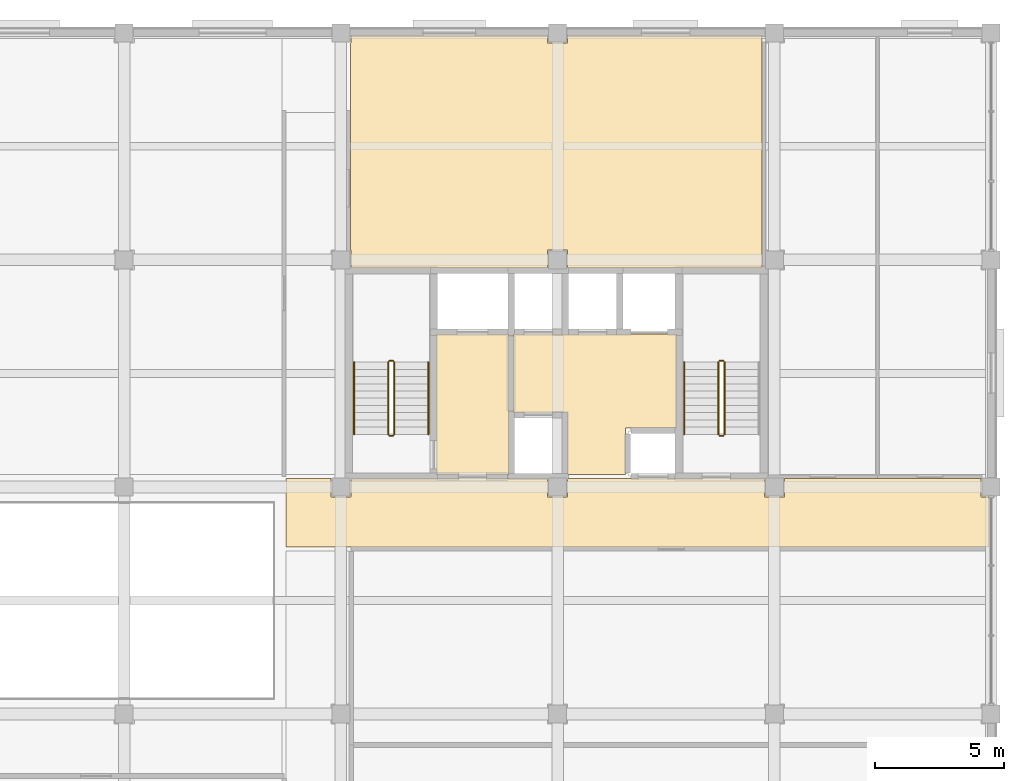
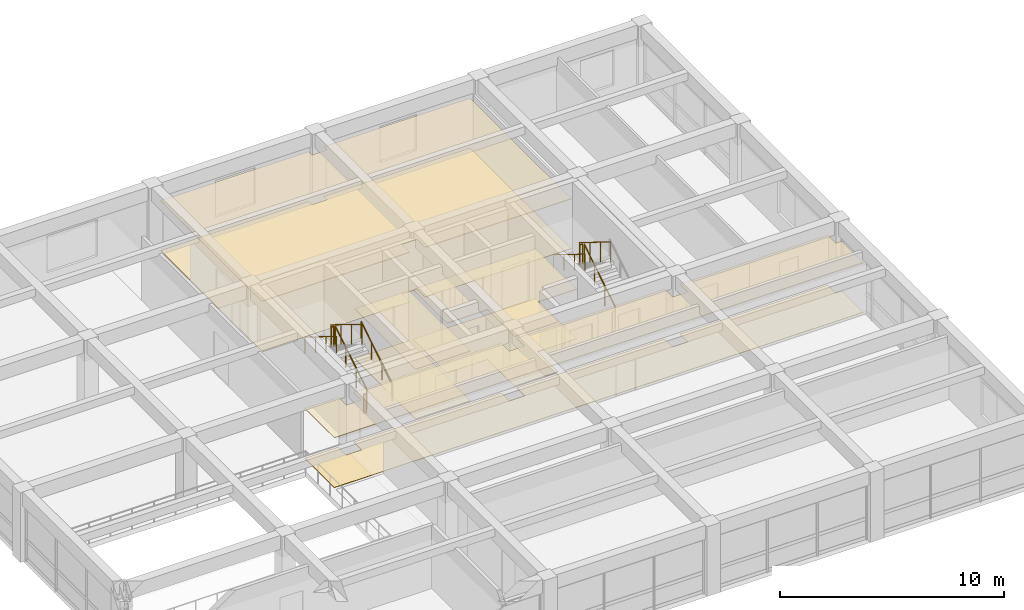
# One storey, part 12 of 13: 11 railings, 8 coverings.
"""IFC4 building model written with IfcOpenShell, lengths in metres."""

from ifc_helpers import new_model, si_unit, direction, frame, origin, origin_2d, place, context, subcontext, project, spatial, polyline, circle, outline, extrude, material, layer, layer_set, type_object, element, save


model = new_model("IFC4")

# Units and contexts
model_context = context("Model", 3, precision=1e-05, world=origin(), true_north=direction((0.0, 1.0)))
body_context = subcontext(model_context, "Body", "Model", "MODEL_VIEW")
ifc_project = project(units=[si_unit("LENGTHUNIT", "METRE"), si_unit("AREAUNIT", "SQUARE_METRE"), si_unit("VOLUMEUNIT", "CUBIC_METRE"), si_unit("PLANEANGLEUNIT", "RADIAN"), si_unit("MASSUNIT", "GRAM", prefix="KILO")], contexts=[model_context])

# Site, building, storey
site_placement = place(None, origin())
site = spatial("IfcSite", under=ifc_project, at=site_placement, CompositionType="ELEMENT")
building_placement = place(site_placement, origin())
building = spatial("IfcBuilding", under=site, at=building_placement, Name="Kemercrest Conservatory and Botanical Centre", CompositionType="ELEMENT")
storey_placement = place(building_placement, frame((0.0, 0.0, 40.60009765625)))
storey = spatial("IfcBuildingStorey", under=building, at=storey_placement, Name="L10", CompositionType="ELEMENT", Elevation=40.60009765625)

# Coverings
ifc_material_1 = material(Name="Perforated acoustic gypsum and mineral-fibre suspended ceiling", Category="gypsum")
ifc_layer_1 = layer(ifc_material_1, 0.034912109375)
ifc_layer_set_1 = layer_set([ifc_layer_1], Name="Perforated acoustic gypsum and mineral-fibre suspended ceiling")
covering_type_1 = type_object("IfcCoveringType", Name="CV-CLG035", PredefinedType="CEILING", material=ifc_layer_set_1)
covering_1_placement = place(storey_placement, frame((0.0, 0.0, 2.699951171875)))
element("IfcCovering", 1, at=covering_1_placement, inside=storey, type_object=covering_type_1, Name="Firefighting Lobby suspended acoustic ceiling", PredefinedType="CEILING", context=body_context, shape_type="SweptSolid", body=[
    extrude(outline(polyline([(154.47998046875, 105.280029296875), (157.320068359375, 105.280029296875), (157.320068359375, 110.719970703125), (154.47998046875, 110.719970703125), (154.47998046875, 105.280029296875)])), origin(), (0.0, 0.0, 1.0), 0.034912109375),
])
covering_2_placement = place(storey_placement, frame((0.0, 0.0, 2.699951171875)))
element("IfcCovering", 2, at=covering_2_placement, inside=storey, type_object=covering_type_1, Name="Tower Lift Lobby suspended acoustic ceiling", PredefinedType="CEILING", context=body_context, shape_type="SweptSolid", body=[
    extrude(outline(polyline([(159.580078125, 107.679931640625), (159.580078125, 105.280029296875), (161.820068359375, 105.280029296875), (161.820068359375, 107.080078125), (163.820068359375, 107.080078125), (163.820068359375, 110.719970703125), (157.47998046875, 110.719970703125), (157.47998046875, 107.679931640625), (159.580078125, 107.679931640625)])), origin(), (0.0, 0.0, 1.0), 0.034912109375),
])
covering_3_placement = place(storey_placement, frame((0.0, 0.0, 2.699951171875)))
element("IfcCovering", 3, at=covering_3_placement, inside=storey, type_object=covering_type_1, Name="East Atrium Corridor suspended acoustic ceiling", PredefinedType="CEILING", context=body_context, shape_type="SweptSolid", body=[
    extrude(outline(polyline([(148.679931640625, 102.47998046875), (175.919921875, 102.47998046875), (175.919921875, 104.409912109375), (175.610107421875, 104.409912109375), (175.610107421875, 105.1201171875), (167.989990234375, 105.1201171875), (167.989990234375, 104.409912109375), (167.2099609375, 104.409912109375), (167.2099609375, 105.1201171875), (159.590087890625, 105.1201171875), (159.590087890625, 104.409912109375), (158.81005859375, 104.409912109375), (158.81005859375, 105.1201171875), (151.18994140625, 105.1201171875), (151.18994140625, 104.409912109375), (150.409912109375, 104.409912109375), (150.409912109375, 105.1201171875), (148.679931640625, 105.1201171875), (148.679931640625, 102.47998046875)])), origin(), (0.0, 0.0, 1.0), 0.034912109375),
])
covering_4_placement = place(storey_placement, frame((0.0, 0.0, 2.699951171875)))
element("IfcCovering", 4, at=covering_4_placement, inside=storey, type_object=covering_type_1, Name="Postdoctoral Research Office suspended acoustic ceiling", PredefinedType="CEILING", context=body_context, shape_type="SweptSolid", body=[
    extrude(outline(polyline([(159.590087890625, 113.280029296875), (167.1201171875, 113.280029296875), (167.1201171875, 122.320068359375), (159.590087890625, 122.320068359375), (159.590087890625, 122.010009765625), (158.81005859375, 122.010009765625), (158.81005859375, 122.320068359375), (151.18994140625, 122.320068359375), (151.18994140625, 122.010009765625), (151.179931640625, 122.010009765625), (151.179931640625, 113.989990234375), (151.18994140625, 113.989990234375), (151.18994140625, 113.280029296875), (158.81005859375, 113.280029296875), (158.81005859375, 113.989990234375), (159.590087890625, 113.989990234375), (159.590087890625, 113.280029296875)])), origin(), (0.0, 0.0, 1.0), 0.034912109375),
])
ifc_material_2 = material(Name="Polished limestone terrazzo and seamless laboratory epoxy flooring", Category="masonry")
ifc_layer_2 = layer(ifc_material_2, 0.02001953125)
ifc_layer_set_2 = layer_set([ifc_layer_2], Name="Polished limestone terrazzo and seamless laboratory epoxy flooring")
covering_type_2 = type_object("IfcCoveringType", Name="CV-FLR020", PredefinedType="FLOORING", material=ifc_layer_set_2)
covering_5_placement = place(storey_placement, origin())
element("IfcCovering", 5, at=covering_5_placement, inside=storey, type_object=covering_type_2, Name="Firefighting Lobby floor finish", PredefinedType="FLOORING", context=body_context, shape_type="SweptSolid", body=[
    extrude(outline(polyline([(154.47998046875, 105.280029296875), (157.320068359375, 105.280029296875), (157.320068359375, 110.719970703125), (154.47998046875, 110.719970703125), (154.47998046875, 105.280029296875)])), origin(), (0.0, 0.0, 1.0), 0.02001953125),
])
covering_6_placement = place(storey_placement, origin())
element("IfcCovering", 6, at=covering_6_placement, inside=storey, type_object=covering_type_2, Name="Tower Lift Lobby floor finish", PredefinedType="FLOORING", context=body_context, shape_type="SweptSolid", body=[
    extrude(outline(polyline([(159.580078125, 107.679931640625), (159.580078125, 105.280029296875), (161.820068359375, 105.280029296875), (161.820068359375, 107.080078125), (163.820068359375, 107.080078125), (163.820068359375, 110.719970703125), (157.47998046875, 110.719970703125), (157.47998046875, 107.679931640625), (159.580078125, 107.679931640625)])), origin(), (0.0, 0.0, 1.0), 0.02001953125),
])
covering_7_placement = place(storey_placement, origin())
element("IfcCovering", 7, at=covering_7_placement, inside=storey, type_object=covering_type_2, Name="East Atrium Corridor floor finish", PredefinedType="FLOORING", context=body_context, shape_type="SweptSolid", body=[
    extrude(outline(polyline([(148.679931640625, 102.47998046875), (175.919921875, 102.47998046875), (175.919921875, 104.409912109375), (175.610107421875, 104.409912109375), (175.610107421875, 105.1201171875), (167.989990234375, 105.1201171875), (167.989990234375, 104.409912109375), (167.2099609375, 104.409912109375), (167.2099609375, 105.1201171875), (159.590087890625, 105.1201171875), (159.590087890625, 104.409912109375), (158.81005859375, 104.409912109375), (158.81005859375, 105.1201171875), (151.18994140625, 105.1201171875), (151.18994140625, 104.409912109375), (150.409912109375, 104.409912109375), (150.409912109375, 105.1201171875), (148.679931640625, 105.1201171875), (148.679931640625, 102.47998046875)])), origin(), (0.0, 0.0, 1.0), 0.02001953125),
])
covering_8_placement = place(storey_placement, origin())
element("IfcCovering", 8, at=covering_8_placement, inside=storey, type_object=covering_type_2, Name="Postdoctoral Research Office floor finish", PredefinedType="FLOORING", context=body_context, shape_type="SweptSolid", body=[
    extrude(outline(polyline([(159.590087890625, 113.280029296875), (167.1201171875, 113.280029296875), (167.1201171875, 122.320068359375), (159.590087890625, 122.320068359375), (159.590087890625, 122.010009765625), (158.81005859375, 122.010009765625), (158.81005859375, 122.320068359375), (151.18994140625, 122.320068359375), (151.18994140625, 122.010009765625), (151.179931640625, 122.010009765625), (151.179931640625, 113.989990234375), (151.18994140625, 113.989990234375), (151.18994140625, 113.280029296875), (158.81005859375, 113.280029296875), (158.81005859375, 113.989990234375), (159.590087890625, 113.989990234375), (159.590087890625, 113.280029296875)])), origin(), (0.0, 0.0, 1.0), 0.02001953125),
])

# Railings
ifc_material_3 = material(Name="Painted galvanized steel tubular stair guardrail", Category="steel")
railing_type_1 = type_object("IfcRailingType", Name="GR-STR110", PredefinedType="GUARDRAIL", material=ifc_material_3)
railing_1_placement = place(storey_placement, frame((152.8701171875, 106.840087890625, 0.172607421875)))
element("IfcRailing", 9, at=railing_1_placement, inside=storey, type_object=railing_type_1, Name="L10 ST-V4A stair guard 1", PredefinedType="GUARDRAIL", context=body_context, shape_type="SweptSolid", body=[
    extrude(circle(Radius=0.02392578125, at=origin_2d()), frame((0.0, 0.0, 1.076171875), z_axis=(0.0, 0.851069175582, 0.525053576669), x_axis=(-1.0, 0.0, 0.0)), (0.0, 0.0, 1.0), 3.289794921875),
    extrude(circle(Radius=0.02099609375, at=origin_2d()), origin(), (0.0, 0.0, 1.0), 1.052001953125),
    extrude(circle(Radius=0.02099609375, at=origin_2d()), frame((0.0, 0.933349609375, 0.57568359375)), (0.0, 0.0, 1.0), 1.052001953125),
    extrude(circle(Radius=0.02099609375, at=origin_2d()), frame((0.0, 1.866455078125, 1.151611328125)), (0.0, 0.0, 1.0), 1.052001953125),
    extrude(circle(Radius=0.02099609375, at=origin_2d()), frame((0.0, 2.7998046875, 1.727294921875)), (0.0, 0.0, 1.0), 1.052001953125),
])
railing_2_placement = place(storey_placement, frame((152.820068359375, 109.68994140625, 1.89990234375)))
element("IfcRailing", 10, at=railing_2_placement, inside=storey, type_object=railing_type_1, Name="L10 ST-V4A stair guard 2", PredefinedType="GUARDRAIL", context=body_context, shape_type="SweptSolid", body=[
    extrude(circle(Radius=0.02392578125, at=origin_2d()), frame((0.0, 0.0, 1.076171875), z_axis=(-1.0, 0.0, 0.0), x_axis=(0.0, -1.0, 0.0)), (0.0, 0.0, 1.0), 0.14013671875),
    extrude(circle(Radius=0.02099609375, at=origin_2d()), origin(), (0.0, 0.0, 1.0), 1.052001953125),
    extrude(circle(Radius=0.02099609375, at=origin_2d()), frame((-0.14013671875, 0.0, 0.0)), (0.0, 0.0, 1.0), 1.052001953125),
])
railing_3_placement = place(storey_placement, frame((152.6298828125, 109.639892578125, 2.072509765625)))
element("IfcRailing", 11, at=railing_3_placement, inside=storey, type_object=railing_type_1, Name="L10 ST-V4A stair guard 3", PredefinedType="GUARDRAIL", context=body_context, shape_type="SweptSolid", body=[
    extrude(circle(Radius=0.02392578125, at=origin_2d()), frame((0.0, 0.0, 1.076171875), z_axis=(0.0, -0.851069175582, 0.525053576669), x_axis=(1.0, 0.0, 0.0)), (0.0, 0.0, 1.0), 3.289794921875),
    extrude(circle(Radius=0.02099609375, at=origin_2d()), origin(), (0.0, 0.0, 1.0), 1.052001953125),
    extrude(circle(Radius=0.02099609375, at=origin_2d()), frame((0.0, -0.933349609375, 0.57568359375)), (0.0, 0.0, 1.0), 1.052001953125),
    extrude(circle(Radius=0.02099609375, at=origin_2d()), frame((0.0, -1.866455078125, 1.151611328125)), (0.0, 0.0, 1.0), 1.052001953125),
    extrude(circle(Radius=0.02099609375, at=origin_2d()), frame((0.0, -2.7998046875, 1.727294921875)), (0.0, 0.0, 1.0), 1.052001953125),
])
railing_4_placement = place(storey_placement, frame((152.820068359375, 106.7900390625, 0.0)))
element("IfcRailing", 12, at=railing_4_placement, inside=storey, type_object=railing_type_1, Name="L10 ST-V4A stair guard 4", PredefinedType="GUARDRAIL", context=body_context, shape_type="SweptSolid", body=[
    extrude(circle(Radius=0.02392578125, at=origin_2d()), frame((0.0, 0.0, 1.076171875), z_axis=(-1.0, 0.0, 0.0), x_axis=(0.0, -1.0, 0.0)), (0.0, 0.0, 1.0), 0.14013671875),
    extrude(circle(Radius=0.02099609375, at=origin_2d()), origin(), (0.0, 0.0, 1.0), 1.052001953125),
    extrude(circle(Radius=0.02099609375, at=origin_2d()), frame((-0.14013671875, 0.0, 0.0)), (0.0, 0.0, 1.0), 1.052001953125),
])
railing_5_placement = place(storey_placement, frame((165.669921875, 106.840087890625, 0.172607421875)))
element("IfcRailing", 13, at=railing_5_placement, inside=storey, type_object=railing_type_1, Name="L10 ST-V4B stair guard 1", PredefinedType="GUARDRAIL", context=body_context, shape_type="SweptSolid", body=[
    extrude(circle(Radius=0.02392578125, at=origin_2d()), frame((0.0, 0.0, 1.076171875), z_axis=(0.0, 0.851069175582, 0.525053576669), x_axis=(-1.0, 0.0, 0.0)), (0.0, 0.0, 1.0), 3.289794921875),
    extrude(circle(Radius=0.02099609375, at=origin_2d()), origin(), (0.0, 0.0, 1.0), 1.052001953125),
    extrude(circle(Radius=0.02099609375, at=origin_2d()), frame((0.0, 0.933349609375, 0.57568359375)), (0.0, 0.0, 1.0), 1.052001953125),
    extrude(circle(Radius=0.02099609375, at=origin_2d()), frame((0.0, 1.866455078125, 1.151611328125)), (0.0, 0.0, 1.0), 1.052001953125),
    extrude(circle(Radius=0.02099609375, at=origin_2d()), frame((0.0, 2.7998046875, 1.727294921875)), (0.0, 0.0, 1.0), 1.052001953125),
])
railing_6_placement = place(storey_placement, frame((165.6201171875, 109.68994140625, 1.89990234375)))
element("IfcRailing", 14, at=railing_6_placement, inside=storey, type_object=railing_type_1, Name="L10 ST-V4B stair guard 2", PredefinedType="GUARDRAIL", context=body_context, shape_type="SweptSolid", body=[
    extrude(circle(Radius=0.02392578125, at=origin_2d()), frame((0.0, 0.0, 1.076171875), z_axis=(-1.0, 0.0, 0.0), x_axis=(0.0, -1.0, 0.0)), (0.0, 0.0, 1.0), 0.14013671875),
    extrude(circle(Radius=0.02099609375, at=origin_2d()), origin(), (0.0, 0.0, 1.0), 1.052001953125),
    extrude(circle(Radius=0.02099609375, at=origin_2d()), frame((-0.14013671875, 0.0, 0.0)), (0.0, 0.0, 1.0), 1.052001953125),
])
railing_7_placement = place(storey_placement, frame((165.429931640625, 109.639892578125, 2.072509765625)))
element("IfcRailing", 15, at=railing_7_placement, inside=storey, type_object=railing_type_1, Name="L10 ST-V4B stair guard 3", PredefinedType="GUARDRAIL", context=body_context, shape_type="SweptSolid", body=[
    extrude(circle(Radius=0.02392578125, at=origin_2d()), frame((0.0, 0.0, 1.076171875), z_axis=(0.0, -0.851069175582, 0.525053576669), x_axis=(1.0, 0.0, 0.0)), (0.0, 0.0, 1.0), 3.289794921875),
    extrude(circle(Radius=0.02099609375, at=origin_2d()), origin(), (0.0, 0.0, 1.0), 1.052001953125),
    extrude(circle(Radius=0.02099609375, at=origin_2d()), frame((0.0, -0.933349609375, 0.57568359375)), (0.0, 0.0, 1.0), 1.052001953125),
    extrude(circle(Radius=0.02099609375, at=origin_2d()), frame((0.0, -1.866455078125, 1.151611328125)), (0.0, 0.0, 1.0), 1.052001953125),
    extrude(circle(Radius=0.02099609375, at=origin_2d()), frame((0.0, -2.7998046875, 1.727294921875)), (0.0, 0.0, 1.0), 1.052001953125),
])
railing_8_placement = place(storey_placement, frame((165.6201171875, 106.7900390625, 0.0)))
element("IfcRailing", 16, at=railing_8_placement, inside=storey, type_object=railing_type_1, Name="L10 ST-V4B stair guard 4", PredefinedType="GUARDRAIL", context=body_context, shape_type="SweptSolid", body=[
    extrude(circle(Radius=0.02392578125, at=origin_2d()), frame((0.0, 0.0, 1.076171875), z_axis=(-1.0, 0.0, 0.0), x_axis=(0.0, -1.0, 0.0)), (0.0, 0.0, 1.0), 0.14013671875),
    extrude(circle(Radius=0.02099609375, at=origin_2d()), origin(), (0.0, 0.0, 1.0), 1.052001953125),
    extrude(circle(Radius=0.02099609375, at=origin_2d()), frame((-0.14013671875, 0.0, 0.0)), (0.0, 0.0, 1.0), 1.052001953125),
])
ifc_material_4 = material(Name="Brushed stainless steel wall-mounted handrail", Category="steel")
railing_type_2 = type_object("IfcRailingType", Name="HR-STR090", PredefinedType="HANDRAIL", material=ifc_material_4)
railing_9_placement = place(storey_placement, frame((154.18994140625, 106.840087890625, 0.172607421875)))
element("IfcRailing", 17, at=railing_9_placement, inside=storey, type_object=railing_type_2, Name="L10 ST-V4A stair handrail 1", PredefinedType="HANDRAIL", context=body_context, shape_type="SweptSolid", body=[
    extrude(circle(Radius=0.02392578125, at=origin_2d()), frame((0.0, 0.0, 0.8759765625), z_axis=(0.0, 0.851069175582, 0.525053576669), x_axis=(-1.0, 0.0, 0.0)), (0.0, 0.0, 1.0), 3.289794921875),
    extrude(circle(Radius=0.02099609375, at=origin_2d()), origin(), (0.0, 0.0, 1.0), 0.851806640625),
    extrude(circle(Radius=0.02099609375, at=origin_2d()), frame((0.0, 0.933349609375, 0.57568359375)), (0.0, 0.0, 1.0), 0.851806640625),
    extrude(circle(Radius=0.02099609375, at=origin_2d()), frame((0.0, 1.866455078125, 1.151611328125)), (0.0, 0.0, 1.0), 0.851806640625),
    extrude(circle(Radius=0.02099609375, at=origin_2d()), frame((0.0, 2.7998046875, 1.727294921875)), (0.0, 0.0, 1.0), 0.851806640625),
])
for number, where, name in (
    (18, (151.31005859375, 109.639892578125, 2.072509765625), "L10 ST-V4A stair handrail 2"),
    (19, (164.110107421875, 109.639892578125, 2.072509765625), "L10 ST-V4B stair handrail 2"),
):
    element("IfcRailing", number, at=place(storey_placement, frame(where)), inside=storey, type_object=railing_type_2, Name=name, PredefinedType="HANDRAIL", context=body_context, shape_type="SweptSolid", body=[
        extrude(circle(Radius=0.02392578125, at=origin_2d()), frame((0.0, 0.0, 0.8759765625), z_axis=(0.0, -0.851069175582, 0.525053576669), x_axis=(1.0, 0.0, 0.0)), (0.0, 0.0, 1.0), 3.289794921875),
        extrude(circle(Radius=0.02099609375, at=origin_2d()), origin(), (0.0, 0.0, 1.0), 0.851806640625),
        extrude(circle(Radius=0.02099609375, at=origin_2d()), frame((0.0, -0.933349609375, 0.57568359375)), (0.0, 0.0, 1.0), 0.851806640625),
        extrude(circle(Radius=0.02099609375, at=origin_2d()), frame((0.0, -1.866455078125, 1.151611328125)), (0.0, 0.0, 1.0), 0.851806640625),
        extrude(circle(Radius=0.02099609375, at=origin_2d()), frame((0.0, -2.7998046875, 1.727294921875)), (0.0, 0.0, 1.0), 0.851806640625),
    ])

save(model, "model.ifc")
